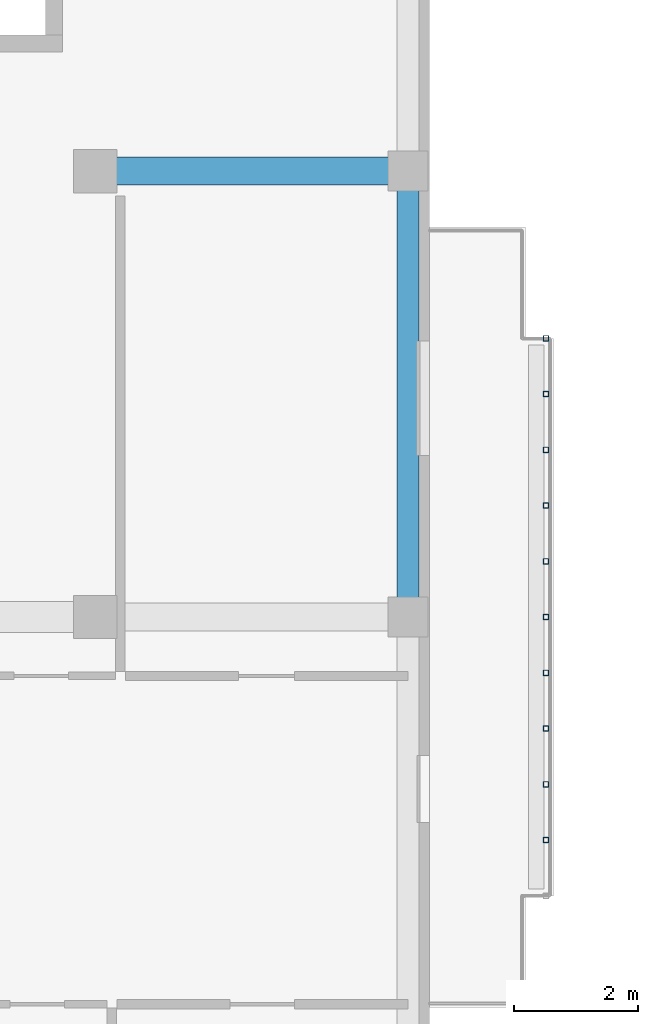
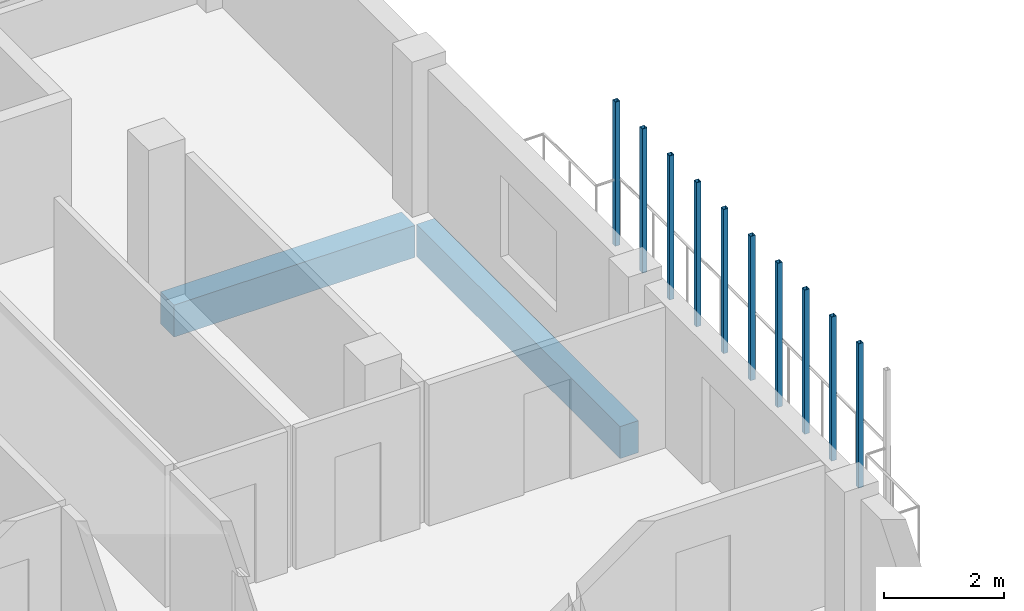
# One storey, part 6 of 56: 10 members, 2 beams.
"""IFC4 building model written with IfcOpenShell, lengths in metres."""

import ifcopenshell
import ifcopenshell.guid

model = None  # the IFC model being written
_history = None  # IfcOwnerHistory: only IFC2X3 demands one
_inside = {}  # id of a spatial element -> (the spatial element, [elements in it])
_under = {}  # id of a project, library or spatial element -> (it, [spatial elements below it])
_declared = {}  # id of a project -> (the project, [libraries it declares])
_typed = {}  # id of a type object -> (the type object, [elements of that type])
_made_of = {}  # id of a material, layer set ... -> (it, [elements and type objects made of it])


def new_model(schema):
    """Start an empty IFC model of exactly this schema.

    Asked for "IFC4X3", IfcOpenShell would pick the latest addendum, in which some entities
    have other attributes; the version numbers below select the first issue.
    IFC2X3 requires an IfcOwnerHistory on every rooted entity: one is made here for all.
    """
    global model, _history
    if schema == "IFC4X3":
        model = ifcopenshell.file(schema_version=(4, 3, 0, 0))
    else:
        model = ifcopenshell.file(schema=schema)
    _inside.clear()
    _under.clear()
    _declared.clear()
    _typed.clear()
    _made_of.clear()
    _history = None
    if model.schema == "IFC2X3":
        org = make("IfcOrganization", Name="unknown")
        user = make(
            "IfcPersonAndOrganization",
            ThePerson=make("IfcPerson", FamilyName="unknown"),
            TheOrganization=org,
        )
        app = make(
            "IfcApplication",
            ApplicationDeveloper=org,
            Version="unknown",
            ApplicationFullName="unknown",
            ApplicationIdentifier="unknown",
        )
        _history = make(
            "IfcOwnerHistory",
            OwningUser=user,
            OwningApplication=app,
            ChangeAction="ADDED",
            CreationDate=0,
        )
    return model


def make(cls, **values):
    """One entity of the class cls with the attributes given. An attribute that is None is left unset."""
    return model.create_entity(
        cls, **{name: value for name, value in values.items() if value is not None}
    )


def rooted(cls, **values):
    """An entity with a GlobalId (a new one), such as an element, a storey or a relation."""
    return make(cls, GlobalId=ifcopenshell.guid.new(), OwnerHistory=_history, **values)


def si_unit(unit_type, name, prefix=None):
    """IfcSIUnit, for example si_unit("LENGTHUNIT", "METRE", prefix="MILLI")."""
    return make("IfcSIUnit", UnitType=unit_type, Prefix=prefix, Name=name)


def derived_unit(unit_type, elements):
    """IfcDerivedUnit: a product of units, each with its exponent."""
    return make(
        "IfcDerivedUnit",
        Elements=[
            make("IfcDerivedUnitElement", Unit=unit, Exponent=power)
            for unit, power in elements
        ],
        UnitType=unit_type,
    )


def assignment(units):
    """IfcUnitAssignment: the units of a project."""
    return None if units is None else make("IfcUnitAssignment", Units=units)


def point(xyz):
    """IfcCartesianPoint."""
    return None if xyz is None else make("IfcCartesianPoint", Coordinates=xyz)


def direction(xyz):
    """IfcDirection."""
    return None if xyz is None else make("IfcDirection", DirectionRatios=xyz)


def frame(location, z_axis=None, x_axis=None):
    """IfcAxis2Placement3D, a coordinate frame: its origin and axes. An axis left out is left unset."""
    return make(
        "IfcAxis2Placement3D",
        Location=point(location),
        Axis=direction(z_axis),
        RefDirection=direction(x_axis),
    )


def frame_2d(location, x_axis=None):
    """IfcAxis2Placement2D, a coordinate frame in the plane: its origin and x axis."""
    return make(
        "IfcAxis2Placement2D", Location=point(location), RefDirection=direction(x_axis)
    )


def origin():
    """The frame at (0, 0, 0) with its axes left unset."""
    return frame((0.0, 0.0, 0.0))


def origin_2d():
    """The frame at (0, 0) in the plane with its x axis left unset."""
    return frame_2d((0.0, 0.0))


def place(relative_to, where):
    """IfcLocalPlacement: puts the frame where relative to a parent placement (None: the world)."""
    return make(
        "IfcLocalPlacement", PlacementRelTo=relative_to, RelativePlacement=where
    )


def context(
    kind, dimensions, precision=None, world=None, true_north=None, identifier=None
):
    """IfcGeometricRepresentationContext, for example the 3D "Model" context."""
    return make(
        "IfcGeometricRepresentationContext",
        ContextIdentifier=identifier,
        ContextType=kind,
        CoordinateSpaceDimension=dimensions,
        Precision=precision,
        WorldCoordinateSystem=world,
        TrueNorth=true_north,
    )


def subcontext(parent, identifier, kind, view, scale=None):
    """IfcGeometricRepresentationSubContext, for example "Body" below "Model"."""
    return make(
        "IfcGeometricRepresentationSubContext",
        ContextIdentifier=identifier,
        ContextType=kind,
        ParentContext=parent,
        TargetScale=scale,
        TargetView=view,
    )


def project(units=None, contexts=None):
    """IfcProject with its units and contexts."""
    return rooted(
        "IfcProject",
        Name="project",
        RepresentationContexts=contexts,
        UnitsInContext=assignment(units),
    )


def spatial(cls, under=None, at=None, **own):
    """A site, building, storey or space (cls), placed at a placement, below another one or the project."""
    s = rooted(cls, ObjectPlacement=at, **own)
    if under is not None:
        _under.setdefault(under.id(), (under, []))[1].append(s)
    return s


def profile(cls, at=None, kind="AREA", **sizes):
    """A parametric profile (cls). Its sizes go by their IFC names, for example OverallWidth=200.0."""
    return make(cls, ProfileType=kind, Position=at, **sizes)


def rectangle(**sizes):
    """IfcRectangleProfileDef."""
    return profile("IfcRectangleProfileDef", **sizes)


def hollow_rectangle(**sizes):
    """IfcRectangleHollowProfileDef."""
    return profile("IfcRectangleHollowProfileDef", **sizes)


def extrude(swept, where, along, depth):
    """IfcExtrudedAreaSolid: the profile swept, set in the frame where, extruded along a direction by depth."""
    return make(
        "IfcExtrudedAreaSolid",
        SweptArea=swept,
        Position=where,
        ExtrudedDirection=direction(along),
        Depth=depth,
    )


def shape(context_of_items, identifier, shape_type, items):
    """IfcShapeRepresentation: the items that make up one representation, for example the "Body"."""
    return make(
        "IfcShapeRepresentation",
        ContextOfItems=context_of_items,
        RepresentationIdentifier=identifier,
        RepresentationType=shape_type,
        Items=items,
    )


def material(Name=None, Category=None):
    """IfcMaterial."""
    return make("IfcMaterial", Name=Name, Category=Category)


def material_profile(
    of_material, cross_section, Name=None, Category=None, Priority=None
):
    """IfcMaterialProfile: a cross section and its material."""
    return make(
        "IfcMaterialProfile",
        Name=Name,
        Material=of_material,
        Profile=cross_section,
        Priority=Priority,
        Category=Category,
    )


def profile_set(profiles, Name=None, composite=None):
    """IfcMaterialProfileSet."""
    return make(
        "IfcMaterialProfileSet",
        Name=Name,
        MaterialProfiles=profiles,
        CompositeProfile=composite,
    )


def made_of(thing, what):
    """Note that an element or type object is made of a material, layer set ...; save() writes the relation."""
    if what is not None:
        _made_of.setdefault(what.id(), (what, []))[1].append(thing)
    return thing


def type_object(cls, material=None, **own):
    """A type object (cls), such as IfcWallType, which elements share."""
    return made_of(rooted(cls, **own), material)


def element(
    cls,
    number,
    at=None,
    inside=None,
    cuts=None,
    type_object=None,
    material=None,
    context=None,
    identifier="Body",
    shape_type=None,
    held_by="IfcProductDefinitionShape",
    body=None,
    shapes=None,
    **own,
):
    """One element of the class cls, such as IfcWall. Its Tag is "e" and its number.

    at: its placement. inside: the storey or other place that contains it. cuts: it is an
    opening in that element (IfcRelVoidsElement). A single representation is given by context,
    identifier, shape_type and body (its items); several are given by shapes. held_by: the class
    of the entity that holds the representations. save() writes the other relations.
    """
    e = rooted(cls, Tag="e%d" % number, ObjectPlacement=at, **own)
    if body is not None:
        shapes = [shape(context, identifier, shape_type, body)]
    if shapes is not None:
        e.Representation = make(held_by, Representations=shapes)
    if inside is not None:
        _inside.setdefault(inside.id(), (inside, []))[1].append(e)
    if cuts is not None:
        rooted(
            "IfcRelVoidsElement", RelatingBuildingElement=cuts, RelatedOpeningElement=e
        )
    if type_object is not None:
        _typed.setdefault(type_object.id(), (type_object, []))[1].append(e)
    return made_of(e, material)


def aggregate(whole, parts):
    """IfcRelAggregates: a whole, such as a stair, and the parts it consists of."""
    return rooted("IfcRelAggregates", RelatingObject=whole, RelatedObjects=parts)


def save(model, path):
    """Write the relations noted so far, then the file.

    IfcRelAggregates (storeys below a building ...), IfcRelContainedInSpatialStructure (elements
    in a storey), IfcRelDefinesByType, IfcRelAssociatesMaterial and IfcRelDeclares: one each for
    every whole, place, type object, material and project.
    """
    for whole, parts in _under.values():
        aggregate(whole, parts)
    for where, things in _inside.values():
        rooted(
            "IfcRelContainedInSpatialStructure",
            RelatedElements=things,
            RelatingStructure=where,
        )
    for kind, things in _typed.values():
        rooted("IfcRelDefinesByType", RelatedObjects=things, RelatingType=kind)
    for what, things in _made_of.values():
        rooted("IfcRelAssociatesMaterial", RelatedObjects=things, RelatingMaterial=what)
    for by, libraries in _declared.values():
        rooted("IfcRelDeclares", RelatingContext=by, RelatedDefinitions=libraries)
    model.write(path)


model = new_model("IFC4")

# Units and contexts
model_context = context("Model", 3, precision=1e-05, world=origin(), true_north=direction((0.0, 1.0)))
body_context = subcontext(model_context, "Body", "Model", "MODEL_VIEW")
ifc_project = project(units=[si_unit("LENGTHUNIT", "METRE"), si_unit("AREAUNIT", "SQUARE_METRE"), si_unit("VOLUMEUNIT", "CUBIC_METRE"), si_unit("PLANEANGLEUNIT", "RADIAN"), si_unit("MASSUNIT", "GRAM", prefix="KILO"), derived_unit("THERMALTRANSMITTANCEUNIT", [(si_unit("MASSUNIT", "GRAM", prefix="KILO"), 1), (si_unit("TIMEUNIT", "SECOND"), -3), (si_unit("THERMODYNAMICTEMPERATUREUNIT", "KELVIN"), -1)])], contexts=[model_context])

# Site, building, storey
site_placement = place(None, origin())
site = spatial("IfcSite", under=ifc_project, at=site_placement, CompositionType="ELEMENT")
building_placement = place(site_placement, origin())
building = spatial("IfcBuilding", under=site, at=building_placement, Name="Ochrekiln Boulevard Commons", CompositionType="ELEMENT")
storey_placement = place(building_placement, frame((0.0, 0.0, 12.074951171875)))
storey = spatial("IfcBuildingStorey", under=building, at=storey_placement, Name="L03", CompositionType="ELEMENT", Elevation=12.074951171875)

# Beam
ifc_material_1 = material(Name="Concrete C35/45", Category="concrete")
ifc_material_profile_1 = material_profile(ifc_material_1, rectangle(XDim=0.449951171875, YDim=0.64990234375, at=origin_2d()), Name="RC-BM-450x650")
ifc_profile_set_1 = profile_set([ifc_material_profile_1], Name="Concrete C35/45")
beam_type_1 = type_object("IfcBeamType", Name="BM-RC-450x650", PredefinedType="BEAM", material=ifc_profile_set_1)
beam_1_placement = place(storey_placement, frame((16.409912109375, 43.199951171875, -0.5849609375), z_axis=(1.0, 0.0, 0.0), x_axis=(0.0, 1.0, 0.0)))
element("IfcBeam", 1, at=beam_1_placement, inside=storey, type_object=beam_type_1, Name="Block D L03 Beam B-4565 X19", PredefinedType="BEAM", context=body_context, shape_type="SweptSolid", body=[
    extrude(rectangle(XDim=0.449951171875, YDim=0.64990234375, at=origin_2d()), origin(), (0.0, 0.0, 1.0), 4.630126953125),
])

# Members
ifc_material_2 = material(Name="Steel A500 Grade C", Category="steel")
ifc_material_profile_2 = material_profile(ifc_material_2, hollow_rectangle(XDim=0.090087890625, YDim=0.090087890625, WallThickness=0.00634765625, at=origin_2d()), Name="HSS90X90X6.4")
ifc_profile_set_2 = profile_set([ifc_material_profile_2], Name="Steel A500 Grade C")
member_type = type_object("IfcMemberType", Name="MEM-PST-HSS90", PredefinedType="POST", material=ifc_profile_set_2)
for number, where, z_axis, x_axis, name in (
    (2, (23.47998046875, 32.39990234375, 0.0), (0.0, 0.0, 1.0), (1.0, 0.0, 0.0), "Block D L03 Slim Vertical Balcony Post (343)"),
    (3, (23.47998046875, 33.300048828125, 0.0), (0.0, 0.0, 1.0), (1.0, 0.0, 0.0), "Block D L03 Slim Vertical Balcony Post (344)"),
    (4, (23.47998046875, 34.199951171875, 0.0), (0.0, 0.0, 1.0), (1.0, 0.0, 0.0), "Block D L03 Slim Vertical Balcony Post (345)"),
    (5, (23.47998046875, 35.10009765625, 0.0), (0.0, 0.0, 1.0), (1.0, 0.0, 0.0), "Block D L03 Slim Vertical Balcony Post (346)"),
    (6, (23.47998046875, 36.0, 0.0), (0.0, 0.0, 1.0), (1.0, 0.0, 0.0), "Block D L03 Slim Vertical Balcony Post (347)"),
    (7, (23.47998046875, 36.89990234375, 0.0), (0.0, 0.0, 1.0), (1.0, 0.0, 0.0), "Block D L03 Slim Vertical Balcony Post (348)"),
    (8, (23.47998046875, 37.800048828125, 0.0), (0.0, 0.0, 1.0), (1.0, 0.0, 0.0), "Block D L03 Slim Vertical Balcony Post (349)"),
    (9, (23.47998046875, 38.699951171875, 0.0), (0.0, 0.0, 1.0), (1.0, 0.0, 0.0), "Block D L03 Slim Vertical Balcony Post (350)"),
    (10, (23.47998046875, 39.60009765625, 0.0), (0.0, 0.0, 1.0), (1.0, 0.0, 0.0), "Block D L03 Slim Vertical Balcony Post (351)"),
    (11, (23.47998046875, 40.5, 0.0), (0.0, 0.0, 1.0), (1.0, 0.0, 0.0), "Block D L03 Slim Vertical Balcony Post (352)"),
):
    element("IfcMember", number, at=place(storey_placement, frame(where, z_axis=z_axis, x_axis=x_axis)), inside=storey, type_object=member_type, Name=name, PredefinedType="POST", context=body_context, shape_type="SweptSolid", body=[
        extrude(hollow_rectangle(XDim=0.090087890625, YDim=0.090087890625, WallThickness=0.00634765625, at=origin_2d()), origin(), (0.0, 0.0, 1.0), 2.929931640625),
    ])

# Beam
ifc_material_3 = material(Name="Concrete C40/50", Category="concrete")
ifc_material_profile_3 = material_profile(ifc_material_3, rectangle(XDim=0.35009765625, YDim=0.64990234375, at=origin_2d()), Name="RC-SPN-350x650")
ifc_profile_set_3 = profile_set([ifc_material_profile_3], Name="Concrete C40/50")
beam_type_2 = type_object("IfcBeamType", Name="SPN-RC-350x650", PredefinedType="SPANDREL", material=ifc_profile_set_3)
beam_2_placement = place(storey_placement, frame((21.25, 36.2099609375, -0.5849609375), z_axis=(0.0, 1.0, 0.0), x_axis=(-1.0, 0.0, 0.0)))
element("IfcBeam", 12, at=beam_2_placement, inside=storey, type_object=beam_type_2, Name="Block D L03 Beam SP-3565 Y35", PredefinedType="SPANDREL", context=body_context, shape_type="SweptSolid", body=[
    extrude(rectangle(XDim=0.35009765625, YDim=0.64990234375, at=origin_2d()), origin(), (0.0, 0.0, 1.0), 6.780029296875),
])

save(model, "model.ifc")
